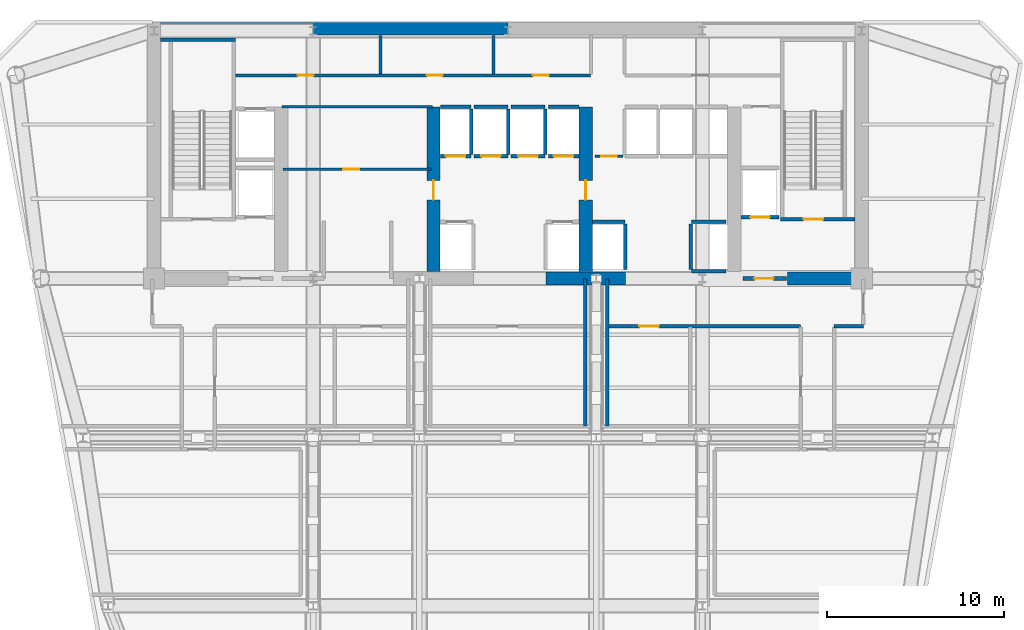
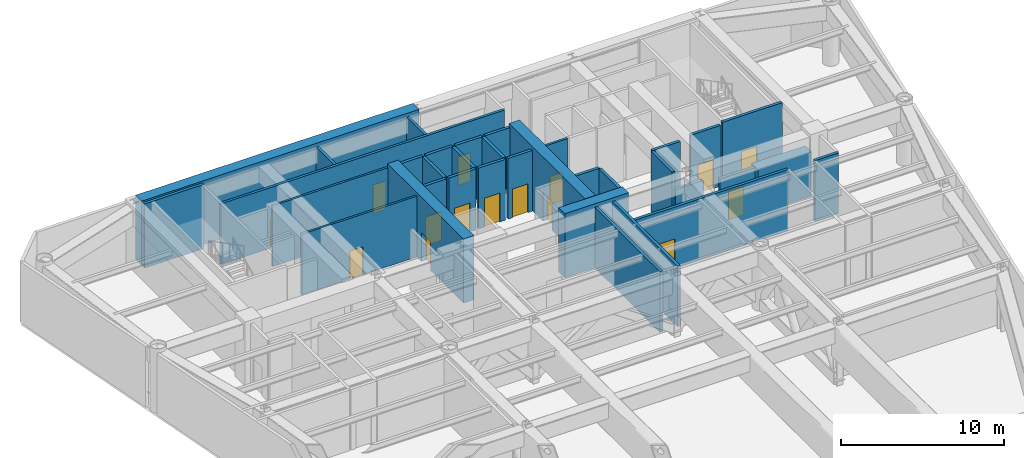
# One storey, part 5 of 10: 35 walls, 15 doors, 15 openings.
"""IFC4 building model written with IfcOpenShell, lengths in metres."""

from ifc_helpers import new_model, si_unit, direction, frame, frame_2d, origin, place, context, subcontext, project, spatial, rectangle, extrude, source, transform, mapped, material, layer, layer_set, type_object, element, fill, save


model = new_model("IFC4")

# Units and contexts
model_context = context("Model", 3, precision=1e-05, world=origin(), true_north=direction((0.0, 1.0)))
body_context = subcontext(model_context, "Body", "Model", "MODEL_VIEW")
ifc_project = project(units=[si_unit("LENGTHUNIT", "METRE"), si_unit("AREAUNIT", "SQUARE_METRE"), si_unit("VOLUMEUNIT", "CUBIC_METRE"), si_unit("PLANEANGLEUNIT", "RADIAN"), si_unit("MASSUNIT", "GRAM", prefix="KILO")], contexts=[model_context])

# Site, building, storey
site_placement = place(None, origin())
site = spatial("IfcSite", under=ifc_project, at=site_placement, CompositionType="ELEMENT")
building_placement = place(site_placement, origin())
building = spatial("IfcBuilding", under=site, at=building_placement, Name="Vaeldorn Concourse Tower", CompositionType="ELEMENT")
storey_placement = place(building_placement, frame((0.0, 0.0, 149.0)))
storey = spatial("IfcBuildingStorey", under=building, at=storey_placement, Name="L38", CompositionType="ELEMENT", Elevation=149.0)

# Walls
ifc_material_1 = material(Name="Concrete C60/75", Category="concrete")
ifc_layer_1 = layer(ifc_material_1, 0.75)
ifc_layer_set_1 = layer_set([ifc_layer_1], Name="Concrete C60/75")
wall_type_1 = type_object("IfcWallType", Name="WL-CORE-750", PredefinedType="SHEAR", material=ifc_layer_set_1)
wall_1_placement = place(storey_placement, frame((14.37890625, 50.625, 0.0), z_axis=(0.0, 0.0, 1.0), x_axis=(1.0, 0.0, 0.0)))
element("IfcWall", 1, at=wall_1_placement, inside=storey, type_object=wall_type_1, Name="Rear Core Shear Wall L38 N1", PredefinedType="SHEAR", context=body_context, shape_type="SweptSolid", body=[
    extrude(rectangle(XDim=19.619140625, YDim=0.75, at=frame_2d((9.8095703125, 0.0))), origin(), (0.0, 0.0, 1.0), 4.800048828125),
])
wall_2_placement = place(storey_placement, frame((36.14990234375, 36.5, 0.0), z_axis=(0.0, 0.0, 1.0), x_axis=(1.0, 0.0, 0.0)))
element("IfcWall", 2, at=wall_2_placement, inside=storey, type_object=wall_type_1, Name="Rear Core Shear Wall L38 S3", PredefinedType="SHEAR", context=body_context, shape_type="SweptSolid", body=[
    extrude(rectangle(XDim=4.5, YDim=0.75, at=frame_2d((2.25, 0.0))), origin(), (0.0, 0.0, 1.0), 4.800048828125),
])
wall_3_placement = place(storey_placement, frame((49.800048828125, 36.5, 0.0), z_axis=(0.0, 0.0, 1.0), x_axis=(1.0, 0.0, 0.0)))
element("IfcWall", 3, at=wall_3_placement, inside=storey, type_object=wall_type_1, Name="Rear Core Shear Wall L38 S4", PredefinedType="SHEAR", context=body_context, shape_type="SweptSolid", body=[
    extrude(rectangle(XDim=3.804931640625, YDim=0.75, at=frame_2d((1.90234375, 0.0))), origin(), (0.0, 0.0, 1.0), 3.340087890625),
])

# Wall, opening, door
wall_4_placement = place(storey_placement, frame((29.800048828125, 36.89501953125, 0.0), z_axis=(0.0, 0.0, 1.0), x_axis=(0.0, 1.0, 0.0)))
wall_4 = element("IfcWall", 4, at=wall_4_placement, inside=storey, type_object=wall_type_1, Name="Rear Core Shear Wall L38 M2", PredefinedType="SHEAR", context=body_context, shape_type="SweptSolid", body=[
    extrude(rectangle(XDim=9.304931640625, YDim=0.75, at=frame_2d((4.65234375, 0.0))), origin(), (0.0, 0.0, 1.0), 4.800048828125),
])
opening_1_placement = place(wall_4_placement, frame((4.050048828125, 0.0, 0.0)))
opening_1 = element("IfcOpeningElement", 5, at=opening_1_placement, cuts=wall_4, Name="Opening D-01", PredefinedType="OPENING", context=body_context, shape_type="SweptSolid", body=[
    extrude(rectangle(XDim=1.10009765625, YDim=2.14990234375, at=frame_2d((0.550048828125, 1.074951171875))), frame((0.0, 0.385009765625, 0.0), z_axis=(0.0, -1.0, 0.0), x_axis=(1.0, 0.0, 0.0)), (0.0, 0.0, 1.0), 0.77001953125),
])
ifc_material_2 = material(Name="Fire-Rated Timber and Steel Leaf", Category="steel")
door_type_1 = type_object("IfcDoorType", Name="DR-FD60-1100", OperationType="NOTDEFINED", PredefinedType="DOOR", material=ifc_material_2)
shared_shape_1 = source(origin(), body_context, "Body", "SweptSolid", [
    extrude(rectangle(XDim=1.10009765625, YDim=2.14990234375, at=frame_2d((0.550048828125, 1.074951171875))), frame((0.0, 0.02490234375, 0.0), z_axis=(0.0, -1.0, 0.0), x_axis=(1.0, 0.0, 0.0)), (0.0, 0.0, 1.0), 0.050048828125),
])
door_1_placement = place(opening_1_placement, origin())
door_1 = element("IfcDoor", 6, at=door_1_placement, inside=storey, type_object=door_type_1, Name="Interior Door DR-L38-CBM2", OperationType="SINGLE_SWING_LEFT", OverallHeight=2.14990234375, OverallWidth=1.10009765625, PredefinedType="DOOR", context=body_context, shape_type="MappedRepresentation", body=[
    mapped(shared_shape_1, transform((0.0, 0.0, 0.0), scale=1.0)),
])
fill(opening_1, door_1)

wall_5_placement = place(storey_placement, frame((38.39990234375, 36.89501953125, 0.0), z_axis=(0.0, 0.0, 1.0), x_axis=(0.0, 1.0, 0.0)))
wall_5 = element("IfcWall", 7, at=wall_5_placement, inside=storey, type_object=wall_type_1, Name="Rear Core Shear Wall L38 M3", PredefinedType="SHEAR", context=body_context, shape_type="SweptSolid", body=[
    extrude(rectangle(XDim=9.304931640625, YDim=0.75, at=frame_2d((4.65234375, 0.0))), origin(), (0.0, 0.0, 1.0), 4.800048828125),
])
opening_2_placement = place(wall_5_placement, frame((4.050048828125, 0.0, 0.0)))
opening_2 = element("IfcOpeningElement", 8, at=opening_2_placement, cuts=wall_5, Name="Opening D-01", PredefinedType="OPENING", context=body_context, shape_type="SweptSolid", body=[
    extrude(rectangle(XDim=1.10009765625, YDim=2.14990234375, at=frame_2d((0.550048828125, 1.074951171875))), frame((0.0, 0.385009765625, 0.0), z_axis=(0.0, -1.0, 0.0), x_axis=(1.0, 0.0, 0.0)), (0.0, 0.0, 1.0), 0.77001953125),
])
door_2_placement = place(opening_2_placement, origin())
door_2 = element("IfcDoor", 9, at=door_2_placement, inside=storey, type_object=door_type_1, Name="Interior Door DR-L38-CBM3", OperationType="SINGLE_SWING_RIGHT", OverallHeight=2.14990234375, OverallWidth=1.10009765625, PredefinedType="DOOR", context=body_context, shape_type="MappedRepresentation", body=[
    mapped(shared_shape_1, transform((0.0, 0.0, 0.0), scale=1.0)),
])
fill(opening_2, door_2)

# Wall
ifc_material_3 = material(Name="Gypsum Board Partition", Category="gypsum")
ifc_layer_2 = layer(ifc_material_3, 0.14990234375)
ifc_layer_set_2 = layer_set([ifc_layer_2], Name="Gypsum Board Partition")
wall_type_2 = type_object("IfcWallType", Name="WL-PART-150", PredefinedType="PARTITIONING", material=ifc_layer_set_2)
wall_6_placement = place(storey_placement, frame((21.25, 46.199951171875, 0.0), z_axis=(0.0, 0.0, 1.0), x_axis=(1.0, 0.0, 0.0)))
element("IfcWall", 10, at=wall_6_placement, inside=storey, type_object=wall_type_2, Name="Interior Wall CW-L38-R1N", PredefinedType="PARTITIONING", context=body_context, shape_type="SweptSolid", body=[
    extrude(rectangle(XDim=8.5, YDim=0.14990234375, at=frame_2d((4.25, 0.0))), origin(), (0.0, 0.0, 1.0), 4.5400390625),
])

# Wall, opening, door
wall_7_placement = place(storey_placement, frame((21.300048828125, 42.679931640625, 0.0), z_axis=(0.0, 0.0, 1.0), x_axis=(1.0, 0.0, 0.0)))
wall_7 = element("IfcWall", 11, at=wall_7_placement, inside=storey, type_object=wall_type_2, Name="Interior Wall CW-L38-R1M", PredefinedType="PARTITIONING", context=body_context, shape_type="SweptSolid", body=[
    extrude(rectangle(XDim=8.39990234375, YDim=0.14990234375, at=frame_2d((4.199951171875, 0.0))), origin(), (0.0, 0.0, 1.0), 4.5400390625),
])
opening_3_placement = place(wall_7_placement, frame((3.39990234375, 0.0, 0.0)))
opening_3 = element("IfcOpeningElement", 12, at=opening_3_placement, cuts=wall_7, Name="Opening D-02", PredefinedType="OPENING", context=body_context, shape_type="SweptSolid", body=[
    extrude(rectangle(XDim=0.89990234375, YDim=2.10009765625, at=frame_2d((0.449951171875, 1.050048828125))), frame((0.0, 0.0849609375, 0.0), z_axis=(0.0, -1.0, 0.0), x_axis=(1.0, 0.0, 0.0)), (0.0, 0.0, 1.0), 0.169921875),
])
ifc_material_4 = material(Name="Fire-Rated Timber Leaf", Category="wood")
door_type_2 = type_object("IfcDoorType", Name="DR-FD30-900", OperationType="NOTDEFINED", PredefinedType="DOOR", material=ifc_material_4)
shared_shape_2 = source(origin(), body_context, "Body", "SweptSolid", [
    extrude(rectangle(XDim=0.89990234375, YDim=2.10009765625, at=frame_2d((0.449951171875, 1.050048828125))), frame((0.0, 0.02490234375, 0.0), z_axis=(0.0, -1.0, 0.0), x_axis=(1.0, 0.0, 0.0)), (0.0, 0.0, 1.0), 0.050048828125),
])
door_3_placement = place(opening_3_placement, origin())
door_3 = element("IfcDoor", 13, at=door_3_placement, inside=storey, type_object=door_type_2, Name="Interior Door DR-L38-R1M", OperationType="SINGLE_SWING_RIGHT", OverallHeight=2.10009765625, OverallWidth=0.89990234375, PredefinedType="DOOR", context=body_context, shape_type="MappedRepresentation", body=[
    mapped(shared_shape_2, transform((0.0, 0.0, 0.0), scale=1.0)),
])
fill(opening_3, door_3)

wall_8_placement = place(storey_placement, frame((38.919921875, 43.39990234375, 0.0), z_axis=(0.0, 0.0, 1.0), x_axis=(1.0, 0.0, 0.0)))
wall_8 = element("IfcWall", 14, at=wall_8_placement, inside=storey, type_object=wall_type_2, Name="Interior Wall CW-L38-CCLINK", PredefinedType="PARTITIONING", context=body_context, shape_type="SweptSolid", body=[
    extrude(rectangle(XDim=1.60009765625, YDim=0.14990234375, at=frame_2d((0.800048828125, 0.0))), origin(), (0.0, 0.0, 1.0), 4.5400390625),
])
opening_4_placement = place(wall_8_placement, frame((0.35009765625, 0.0, 0.0)))
opening_4 = element("IfcOpeningElement", 15, at=opening_4_placement, cuts=wall_8, Name="Opening D-02", PredefinedType="OPENING", context=body_context, shape_type="SweptSolid", body=[
    extrude(rectangle(XDim=0.89990234375, YDim=2.10009765625, at=frame_2d((0.449951171875, 1.050048828125))), frame((0.0, 0.0849609375, 0.0), z_axis=(0.0, -1.0, 0.0), x_axis=(1.0, 0.0, 0.0)), (0.0, 0.0, 1.0), 0.169921875),
])
door_4_placement = place(opening_4_placement, origin())
door_4 = element("IfcDoor", 16, at=door_4_placement, inside=storey, type_object=door_type_2, Name="Interior Door DR-L38-CCLINK", OperationType="SINGLE_SWING_LEFT", OverallHeight=2.10009765625, OverallWidth=0.89990234375, PredefinedType="DOOR", context=body_context, shape_type="MappedRepresentation", body=[
    mapped(shared_shape_2, transform((0.0, 0.0, 0.0), scale=1.0)),
])
fill(opening_4, door_4)

# Wall, openings, doors
ifc_layer_3 = layer(ifc_material_3, 0.179931640625)
ifc_layer_set_3 = layer_set([ifc_layer_3], Name="Gypsum Board Partition")
wall_type_3 = type_object("IfcWallType", Name="WL-PLUMB-180", PredefinedType="PLUMBINGWALL", material=ifc_layer_set_3)
wall_9_placement = place(storey_placement, frame((18.6201171875, 47.97998046875, 0.0), z_axis=(0.0, 0.0, 1.0), x_axis=(1.0, 0.0, 0.0)))
wall_9 = element("IfcWall", 17, at=wall_9_placement, inside=storey, type_object=wall_type_3, Name="Interior Wall CW-L38-NS1W", PredefinedType="PLUMBINGWALL", context=body_context, shape_type="SweptSolid", body=[
    extrude(rectangle(XDim=20.059814453125, YDim=0.179931640625, at=frame_2d((10.02978515625, 0.0))), origin(), (0.0, 0.0, 1.0), 4.5400390625),
])
opening_5_placement = place(wall_9_placement, frame((3.5, 0.0, 0.0)))
opening_5 = element("IfcOpeningElement", 18, at=opening_5_placement, cuts=wall_9, Name="Opening D-03", PredefinedType="OPENING", context=body_context, shape_type="SweptSolid", body=[
    extrude(rectangle(XDim=0.89990234375, YDim=2.14990234375, at=frame_2d((0.449951171875, 1.074951171875))), frame((0.0, 0.10009765625, 0.0), z_axis=(0.0, -1.0, 0.0), x_axis=(1.0, 0.0, 0.0)), (0.0, 0.0, 1.0), 0.199951171875),
])
opening_6_placement = place(wall_9_placement, frame((10.800048828125, 0.0, 0.0)))
opening_6 = element("IfcOpeningElement", 19, at=opening_6_placement, cuts=wall_9, Name="Opening D-03", PredefinedType="OPENING", context=body_context, shape_type="SweptSolid", body=[
    extrude(rectangle(XDim=0.89990234375, YDim=2.14990234375, at=frame_2d((0.449951171875, 1.074951171875))), frame((0.0, 0.10009765625, 0.0), z_axis=(0.0, -1.0, 0.0), x_axis=(1.0, 0.0, 0.0)), (0.0, 0.0, 1.0), 0.199951171875),
])
opening_7_placement = place(wall_9_placement, frame((16.800048828125, 0.0, 0.0)))
opening_7 = element("IfcOpeningElement", 20, at=opening_7_placement, cuts=wall_9, Name="Opening D-03", PredefinedType="OPENING", context=body_context, shape_type="SweptSolid", body=[
    extrude(rectangle(XDim=0.89990234375, YDim=2.14990234375, at=frame_2d((0.449951171875, 1.074951171875))), frame((0.0, 0.10009765625, 0.0), z_axis=(0.0, -1.0, 0.0), x_axis=(1.0, 0.0, 0.0)), (0.0, 0.0, 1.0), 0.199951171875),
])
ifc_material_5 = material(Name="Acoustic Bronze-Framed Glass Door", Category="glass")
door_type_3 = type_object("IfcDoorType", Name="DR-INT-900", OperationType="NOTDEFINED", PredefinedType="DOOR", material=ifc_material_5)
shared_shape_3 = source(origin(), body_context, "Body", "SweptSolid", [
    extrude(rectangle(XDim=0.89990234375, YDim=2.14990234375, at=frame_2d((0.449951171875, 1.074951171875))), frame((0.0, 0.02490234375, 0.0), z_axis=(0.0, -1.0, 0.0), x_axis=(1.0, 0.0, 0.0)), (0.0, 0.0, 1.0), 0.050048828125),
])
door_5_placement = place(opening_5_placement, origin())
door_5 = element("IfcDoor", 21, at=door_5_placement, inside=storey, type_object=door_type_3, Name="Interior Door DR-L38-CS1", OperationType="SINGLE_SWING_LEFT", OverallHeight=2.14990234375, OverallWidth=0.89990234375, PredefinedType="DOOR", context=body_context, shape_type="MappedRepresentation", body=[
    mapped(shared_shape_3, transform((0.0, 0.0, 0.0), scale=1.0)),
])
fill(opening_5, door_5)
door_6_placement = place(opening_6_placement, origin())
door_6 = element("IfcDoor", 22, at=door_6_placement, inside=storey, type_object=door_type_3, Name="Interior Door DR-L38-CS2", OperationType="SINGLE_SWING_RIGHT", OverallHeight=2.14990234375, OverallWidth=0.89990234375, PredefinedType="DOOR", context=body_context, shape_type="MappedRepresentation", body=[
    mapped(shared_shape_3, transform((0.0, 0.0, 0.0), scale=1.0)),
])
fill(opening_6, door_6)
door_7_placement = place(opening_7_placement, origin())
door_7 = element("IfcDoor", 23, at=door_7_placement, inside=storey, type_object=door_type_3, Name="Interior Door DR-L38-CS3", OperationType="SINGLE_SWING_LEFT", OverallHeight=2.14990234375, OverallWidth=0.89990234375, PredefinedType="DOOR", context=body_context, shape_type="MappedRepresentation", body=[
    mapped(shared_shape_3, transform((0.0, 0.0, 0.0), scale=1.0)),
])
fill(opening_7, door_7)

# Walls
for number, where, z_axis, x_axis, name in (
    (24, (26.800048828125, 48.06005859375, 0.0), (0.0, 0.0, 1.0), (0.0, 1.0, 0.0), "Interior Wall CW-L38-NDIV1"),
    (25, (33.199951171875, 48.06005859375, 0.0), (0.0, 0.0, 1.0), (0.0, 1.0, 0.0), "Interior Wall CW-L38-NDIV2"),
):
    element("IfcWall", number, at=place(storey_placement, frame(where, z_axis=z_axis, x_axis=x_axis)), inside=storey, type_object=wall_type_3, Name=name, PredefinedType="PLUMBINGWALL", context=body_context, shape_type="SweptSolid", body=[
        extrude(rectangle(XDim=2.169921875, YDim=0.179931640625, at=frame_2d((1.0849609375, 0.0))), origin(), (0.0, 0.0, 1.0), 4.5400390625),
    ])
ifc_material_6 = material(Name="Concrete C50/60", Category="concrete")
ifc_layer_4 = layer(ifc_material_6, 0.199951171875)
ifc_layer_set_4 = layer_set([ifc_layer_4], Name="Concrete C50/60")
wall_type_4 = type_object("IfcWallType", Name="WL-SHAFT-200", PredefinedType="SOLIDWALL", material=ifc_layer_set_4)
wall_10_placement = place(storey_placement, frame((14.375, 50.0, 0.0), z_axis=(0.0, 0.0, 1.0), x_axis=(1.0, 0.0, 0.0)))
element("IfcWall", 26, at=wall_10_placement, inside=storey, type_object=wall_type_4, Name="Stair Shaft Wall CW-L38-ST-1-N", PredefinedType="SOLIDWALL", context=body_context, shape_type="SweptSolid", body=[
    extrude(rectangle(XDim=4.22509765625, YDim=0.199951171875, at=frame_2d((2.112548828125, 0.0))), origin(), (0.0, 0.0, 1.0), 4.800048828125),
])

# Wall, opening, door
wall_11_placement = place(storey_placement, frame((49.39990234375, 39.85009765625, 0.0), z_axis=(0.0, 0.0, 1.0), x_axis=(1.0, 0.0, 0.0)))
wall_11 = element("IfcWall", 27, at=wall_11_placement, inside=storey, type_object=wall_type_4, Name="Stair Shaft Wall CW-L38-ST-2-S", PredefinedType="SOLIDWALL", context=body_context, shape_type="SweptSolid", body=[
    extrude(rectangle(XDim=4.22509765625, YDim=0.199951171875, at=frame_2d((2.112548828125, 0.0))), origin(), (0.0, 0.0, 1.0), 4.800048828125),
])
opening_8_placement = place(wall_11_placement, frame((1.324951171875, 0.0, 0.0)))
opening_8 = element("IfcOpeningElement", 28, at=opening_8_placement, cuts=wall_11, Name="Opening D-01", PredefinedType="OPENING", context=body_context, shape_type="SweptSolid", body=[
    extrude(rectangle(XDim=1.10009765625, YDim=2.14990234375, at=frame_2d((0.550048828125, 1.074951171875))), frame((0.0, 0.10986328125, 0.0), z_axis=(0.0, -1.0, 0.0), x_axis=(1.0, 0.0, 0.0)), (0.0, 0.0, 1.0), 0.219970703125),
])
door_8_placement = place(opening_8_placement, origin())
door_8 = element("IfcDoor", 29, at=door_8_placement, inside=storey, type_object=door_type_1, Name="Interior Door DR-L38-ST-2", OperationType="SINGLE_SWING_RIGHT", OverallHeight=2.14990234375, OverallWidth=1.10009765625, PredefinedType="DOOR", context=body_context, shape_type="MappedRepresentation", body=[
    mapped(shared_shape_1, transform((0.0, 0.0, 0.0), scale=1.0)),
])
fill(opening_8, door_8)

wall_12_placement = place(storey_placement, frame((47.280029296875, 36.5, 0.0), z_axis=(0.0, 0.0, 1.0), x_axis=(1.0, 0.0, 0.0)))
wall_12 = element("IfcWall", 30, at=wall_12_placement, inside=storey, type_object=wall_type_4, Name="Interior Wall CW-L38-FF2S", PredefinedType="SOLIDWALL", context=body_context, shape_type="SweptSolid", body=[
    extrude(rectangle(XDim=2.469970703125, YDim=0.199951171875, at=frame_2d((1.23486328125, 0.0))), origin(), (0.0, 0.0, 1.0), 3.330078125),
])
opening_9_placement = place(wall_12_placement, frame((0.64990234375, 0.0, 0.0)))
opening_9 = element("IfcOpeningElement", 31, at=opening_9_placement, cuts=wall_12, Name="Opening D-01", PredefinedType="OPENING", context=body_context, shape_type="SweptSolid", body=[
    extrude(rectangle(XDim=1.10009765625, YDim=2.14990234375, at=frame_2d((0.550048828125, 1.074951171875))), frame((0.0, 0.10986328125, 0.0), z_axis=(0.0, -1.0, 0.0), x_axis=(1.0, 0.0, 0.0)), (0.0, 0.0, 1.0), 0.219970703125),
])
door_9_placement = place(opening_9_placement, origin())
door_9 = element("IfcDoor", 32, at=door_9_placement, inside=storey, type_object=door_type_1, Name="Interior Door DR-L38-FF2W", OperationType="SINGLE_SWING_LEFT", OverallHeight=2.14990234375, OverallWidth=1.10009765625, PredefinedType="DOOR", context=body_context, shape_type="MappedRepresentation", body=[
    mapped(shared_shape_1, transform((0.0, 0.0, 0.0), scale=1.0)),
])
fill(opening_9, door_9)

wall_13_placement = place(storey_placement, frame((30.18505859375, 43.39990234375, 0.0), z_axis=(0.0, 0.0, 1.0), x_axis=(1.0, 0.0, 0.0)))
wall_13 = element("IfcWall", 33, at=wall_13_placement, inside=storey, type_object=wall_type_4, Name="Interior Wall CW-L38-LF-LF-09", PredefinedType="SOLIDWALL", context=body_context, shape_type="SweptSolid", body=[
    extrude(rectangle(XDim=1.724853515625, YDim=0.199951171875, at=frame_2d((0.8623046875, 0.0))), origin(), (0.0, 0.0, 1.0), 4.5400390625),
])
opening_10_placement = place(wall_13_placement, frame((0.31298828125, 0.0, 0.0)))
opening_10 = element("IfcOpeningElement", 34, at=opening_10_placement, cuts=wall_13, Name="Opening LD-1", PredefinedType="OPENING", context=body_context, shape_type="SweptSolid", body=[
    extrude(rectangle(XDim=1.10009765625, YDim=2.14990234375, at=frame_2d((0.550048828125, 1.074951171875))), frame((0.0, 0.10986328125, 0.0), z_axis=(0.0, -1.0, 0.0), x_axis=(1.0, 0.0, 0.0)), (0.0, 0.0, 1.0), 0.219970703125),
])
ifc_material_7 = material(Name="Anodised Bronze Aluminium", Category="aluminium")
door_type_4 = type_object("IfcDoorType", Name="DR-LIFT-SLIDE-1100", OperationType="DOUBLE_DOOR_SLIDING", PredefinedType="DOOR", material=ifc_material_7)
door_10_placement = place(opening_10_placement, origin())
door_10 = element("IfcDoor", 35, at=door_10_placement, inside=storey, type_object=door_type_4, Name="Lift Landing Door LD-L38-LF-09", OperationType="DOUBLE_DOOR_SLIDING", OverallHeight=2.14990234375, OverallWidth=1.10009765625, PredefinedType="DOOR", context=body_context, shape_type="MappedRepresentation", body=[
    mapped(shared_shape_1, transform((0.0, 0.0, 0.0), scale=1.0)),
])
fill(opening_10, door_10)

# Walls
wall_14_placement = place(storey_placement, frame((30.18505859375, 46.199951171875, 0.0), z_axis=(0.0, 0.0, 1.0), x_axis=(1.0, 0.0, 0.0)))
element("IfcWall", 36, at=wall_14_placement, inside=storey, type_object=wall_type_4, Name="Interior Wall CW-L38-LFB-LF-09", PredefinedType="SOLIDWALL", context=body_context, shape_type="SweptSolid", body=[
    extrude(rectangle(XDim=1.724853515625, YDim=0.199951171875, at=frame_2d((0.8623046875, 0.0))), origin(), (0.0, 0.0, 1.0), 4.5400390625),
])
wall_15_placement = place(storey_placement, frame((31.929931640625, 43.52001953125, 0.0), z_axis=(0.0, 0.0, 1.0), x_axis=(0.0, 1.0, 0.0)))
element("IfcWall", 37, at=wall_15_placement, inside=storey, type_object=wall_type_4, Name="Interior Wall CW-L38-LFE-LF-09", PredefinedType="SOLIDWALL", context=body_context, shape_type="SweptSolid", body=[
    extrude(rectangle(XDim=2.56005859375, YDim=0.199951171875, at=frame_2d((1.280029296875, 0.0))), origin(), (0.0, 0.0, 1.0), 4.5400390625),
])

# Wall, opening, door
wall_16_placement = place(storey_placement, frame((32.090087890625, 43.39990234375, 0.0), z_axis=(0.0, 0.0, 1.0), x_axis=(1.0, 0.0, 0.0)))
wall_16 = element("IfcWall", 38, at=wall_16_placement, inside=storey, type_object=wall_type_4, Name="Interior Wall CW-L38-LF-LF-10", PredefinedType="SOLIDWALL", context=body_context, shape_type="SweptSolid", body=[
    extrude(rectangle(XDim=1.919921875, YDim=0.199951171875, at=frame_2d((0.9599609375, 0.0))), origin(), (0.0, 0.0, 1.0), 4.5400390625),
])
opening_11_placement = place(wall_16_placement, frame((0.409912109375, 0.0, 0.0)))
opening_11 = element("IfcOpeningElement", 39, at=opening_11_placement, cuts=wall_16, Name="Opening LD-1", PredefinedType="OPENING", context=body_context, shape_type="SweptSolid", body=[
    extrude(rectangle(XDim=1.10009765625, YDim=2.14990234375, at=frame_2d((0.550048828125, 1.074951171875))), frame((0.0, 0.10986328125, 0.0), z_axis=(0.0, -1.0, 0.0), x_axis=(1.0, 0.0, 0.0)), (0.0, 0.0, 1.0), 0.219970703125),
])
door_11_placement = place(opening_11_placement, origin())
door_11 = element("IfcDoor", 40, at=door_11_placement, inside=storey, type_object=door_type_4, Name="Lift Landing Door LD-L38-LF-10", OperationType="DOUBLE_DOOR_SLIDING", OverallHeight=2.14990234375, OverallWidth=1.10009765625, PredefinedType="DOOR", context=body_context, shape_type="MappedRepresentation", body=[
    mapped(shared_shape_1, transform((0.0, 0.0, 0.0), scale=1.0)),
])
fill(opening_11, door_11)

# Walls
wall_17_placement = place(storey_placement, frame((32.090087890625, 46.199951171875, 0.0), z_axis=(0.0, 0.0, 1.0), x_axis=(1.0, 0.0, 0.0)))
element("IfcWall", 41, at=wall_17_placement, inside=storey, type_object=wall_type_4, Name="Interior Wall CW-L38-LFB-LF-10", PredefinedType="SOLIDWALL", context=body_context, shape_type="SweptSolid", body=[
    extrude(rectangle(XDim=1.919921875, YDim=0.199951171875, at=frame_2d((0.9599609375, 0.0))), origin(), (0.0, 0.0, 1.0), 4.5400390625),
])
wall_18_placement = place(storey_placement, frame((34.030029296875, 43.52001953125, 0.0), z_axis=(0.0, 0.0, 1.0), x_axis=(0.0, 1.0, 0.0)))
element("IfcWall", 42, at=wall_18_placement, inside=storey, type_object=wall_type_4, Name="Interior Wall CW-L38-LFE-LF-10", PredefinedType="SOLIDWALL", context=body_context, shape_type="SweptSolid", body=[
    extrude(rectangle(XDim=2.56005859375, YDim=0.199951171875, at=frame_2d((1.280029296875, 0.0))), origin(), (0.0, 0.0, 1.0), 4.5400390625),
])

# Wall, opening, door
wall_19_placement = place(storey_placement, frame((34.18994140625, 43.39990234375, 0.0), z_axis=(0.0, 0.0, 1.0), x_axis=(1.0, 0.0, 0.0)))
wall_19 = element("IfcWall", 43, at=wall_19_placement, inside=storey, type_object=wall_type_4, Name="Interior Wall CW-L38-LF-LF-11", PredefinedType="SOLIDWALL", context=body_context, shape_type="SweptSolid", body=[
    extrude(rectangle(XDim=1.920166015625, YDim=0.199951171875, at=frame_2d((0.9599609375, 0.0))), origin(), (0.0, 0.0, 1.0), 4.5400390625),
])
opening_12_placement = place(wall_19_placement, frame((0.409912109375, 0.0, 0.0)))
opening_12 = element("IfcOpeningElement", 44, at=opening_12_placement, cuts=wall_19, Name="Opening LD-1", PredefinedType="OPENING", context=body_context, shape_type="SweptSolid", body=[
    extrude(rectangle(XDim=1.10009765625, YDim=2.14990234375, at=frame_2d((0.550048828125, 1.074951171875))), frame((0.0, 0.10986328125, 0.0), z_axis=(0.0, -1.0, 0.0), x_axis=(1.0, 0.0, 0.0)), (0.0, 0.0, 1.0), 0.219970703125),
])
door_12_placement = place(opening_12_placement, origin())
door_12 = element("IfcDoor", 45, at=door_12_placement, inside=storey, type_object=door_type_4, Name="Lift Landing Door LD-L38-LF-11", OperationType="DOUBLE_DOOR_SLIDING", OverallHeight=2.14990234375, OverallWidth=1.10009765625, PredefinedType="DOOR", context=body_context, shape_type="MappedRepresentation", body=[
    mapped(shared_shape_1, transform((0.0, 0.0, 0.0), scale=1.0)),
])
fill(opening_12, door_12)

# Walls
wall_20_placement = place(storey_placement, frame((34.18994140625, 46.199951171875, 0.0), z_axis=(0.0, 0.0, 1.0), x_axis=(1.0, 0.0, 0.0)))
element("IfcWall", 46, at=wall_20_placement, inside=storey, type_object=wall_type_4, Name="Interior Wall CW-L38-LFB-LF-11", PredefinedType="SOLIDWALL", context=body_context, shape_type="SweptSolid", body=[
    extrude(rectangle(XDim=1.920166015625, YDim=0.199951171875, at=frame_2d((0.9599609375, 0.0))), origin(), (0.0, 0.0, 1.0), 4.5400390625),
])
wall_21_placement = place(storey_placement, frame((36.1298828125, 43.52001953125, 0.0), z_axis=(0.0, 0.0, 1.0), x_axis=(0.0, 1.0, 0.0)))
element("IfcWall", 47, at=wall_21_placement, inside=storey, type_object=wall_type_4, Name="Interior Wall CW-L38-LFE-LF-11", PredefinedType="SOLIDWALL", context=body_context, shape_type="SweptSolid", body=[
    extrude(rectangle(XDim=2.56005859375, YDim=0.199951171875, at=frame_2d((1.280029296875, 0.0))), origin(), (0.0, 0.0, 1.0), 4.5400390625),
])

# Wall, opening, door
wall_22_placement = place(storey_placement, frame((36.2900390625, 43.39990234375, 0.0), z_axis=(0.0, 0.0, 1.0), x_axis=(1.0, 0.0, 0.0)))
wall_22 = element("IfcWall", 48, at=wall_22_placement, inside=storey, type_object=wall_type_4, Name="Interior Wall CW-L38-LF-LF-12", PredefinedType="SOLIDWALL", context=body_context, shape_type="SweptSolid", body=[
    extrude(rectangle(XDim=1.724853515625, YDim=0.199951171875, at=frame_2d((0.8623046875, 0.0))), origin(), (0.0, 0.0, 1.0), 4.5400390625),
])
opening_13_placement = place(wall_22_placement, frame((0.31298828125, 0.0, 0.0)))
opening_13 = element("IfcOpeningElement", 49, at=opening_13_placement, cuts=wall_22, Name="Opening LD-1", PredefinedType="OPENING", context=body_context, shape_type="SweptSolid", body=[
    extrude(rectangle(XDim=1.10009765625, YDim=2.14990234375, at=frame_2d((0.550048828125, 1.074951171875))), frame((0.0, 0.10986328125, 0.0), z_axis=(0.0, -1.0, 0.0), x_axis=(1.0, 0.0, 0.0)), (0.0, 0.0, 1.0), 0.219970703125),
])
door_13_placement = place(opening_13_placement, origin())
door_13 = element("IfcDoor", 50, at=door_13_placement, inside=storey, type_object=door_type_4, Name="Lift Landing Door LD-L38-LF-12", OperationType="DOUBLE_DOOR_SLIDING", OverallHeight=2.14990234375, OverallWidth=1.10009765625, PredefinedType="DOOR", context=body_context, shape_type="MappedRepresentation", body=[
    mapped(shared_shape_1, transform((0.0, 0.0, 0.0), scale=1.0)),
])
fill(opening_13, door_13)

# Walls
wall_23_placement = place(storey_placement, frame((36.2900390625, 46.199951171875, 0.0), z_axis=(0.0, 0.0, 1.0), x_axis=(1.0, 0.0, 0.0)))
element("IfcWall", 51, at=wall_23_placement, inside=storey, type_object=wall_type_4, Name="Interior Wall CW-L38-LFB-LF-12", PredefinedType="SOLIDWALL", context=body_context, shape_type="SweptSolid", body=[
    extrude(rectangle(XDim=1.724853515625, YDim=0.199951171875, at=frame_2d((0.8623046875, 0.0))), origin(), (0.0, 0.0, 1.0), 4.5400390625),
])
wall_24_placement = place(storey_placement, frame((38.784912109375, 39.699951171875, 0.0), z_axis=(0.0, 0.0, 1.0), x_axis=(1.0, 0.0, 0.0)))
element("IfcWall", 52, at=wall_24_placement, inside=storey, type_object=wall_type_4, Name="Interior Wall CW-L38-LF-LF-13", PredefinedType="SOLIDWALL", context=body_context, shape_type="SweptSolid", body=[
    extrude(rectangle(XDim=1.844970703125, YDim=0.199951171875, at=frame_2d((0.92236328125, 0.0))), origin(), (0.0, 0.0, 1.0), 4.5400390625),
])
wall_25_placement = place(storey_placement, frame((40.64990234375, 37.02001953125, 0.0), z_axis=(0.0, 0.0, 1.0), x_axis=(0.0, 1.0, 0.0)))
element("IfcWall", 53, at=wall_25_placement, inside=storey, type_object=wall_type_4, Name="Interior Wall CW-L38-LFE-LF-13", PredefinedType="SOLIDWALL", context=body_context, shape_type="SweptSolid", body=[
    extrude(rectangle(XDim=2.56005859375, YDim=0.199951171875, at=frame_2d((1.280029296875, 0.0))), origin(), (0.0, 0.0, 1.0), 4.5400390625),
])
wall_26_placement = place(storey_placement, frame((44.3701171875, 39.699951171875, 0.0), z_axis=(0.0, 0.0, 1.0), x_axis=(1.0, 0.0, 0.0)))
element("IfcWall", 54, at=wall_26_placement, inside=storey, type_object=wall_type_4, Name="Interior Wall CW-L38-LF-LF-14", PredefinedType="SOLIDWALL", context=body_context, shape_type="SweptSolid", body=[
    extrude(rectangle(XDim=1.9599609375, YDim=0.199951171875, at=frame_2d((0.97998046875, 0.0))), origin(), (0.0, 0.0, 1.0), 4.5400390625),
])
wall_27_placement = place(storey_placement, frame((44.3701171875, 36.89990234375, 0.0), z_axis=(0.0, 0.0, 1.0), x_axis=(1.0, 0.0, 0.0)))
element("IfcWall", 55, at=wall_27_placement, inside=storey, type_object=wall_type_4, Name="Interior Wall CW-L38-LFB-LF-14", PredefinedType="SOLIDWALL", context=body_context, shape_type="SweptSolid", body=[
    extrude(rectangle(XDim=1.9599609375, YDim=0.199951171875, at=frame_2d((0.97998046875, 0.0))), origin(), (0.0, 0.0, 1.0), 3.330078125),
])
wall_28_placement = place(storey_placement, frame((44.35009765625, 37.02001953125, 0.0), z_axis=(0.0, 0.0, 1.0), x_axis=(0.0, 1.0, 0.0)))
element("IfcWall", 56, at=wall_28_placement, inside=storey, type_object=wall_type_4, Name="Interior Wall CW-L38-LFW-LF-14", PredefinedType="SOLIDWALL", context=body_context, shape_type="SweptSolid", body=[
    extrude(rectangle(XDim=2.56005859375, YDim=0.199951171875, at=frame_2d((1.280029296875, 0.0))), origin(), (0.0, 0.0, 1.0), 4.5400390625),
])

# Wall, opening, door
wall_29_placement = place(storey_placement, frame((47.18505859375, 39.949951171875, 0.0), z_axis=(0.0, 0.0, 1.0), x_axis=(1.0, 0.0, 0.0)))
wall_29 = element("IfcWall", 57, at=wall_29_placement, inside=storey, type_object=wall_type_4, Name="Interior Wall CW-L38-LF-LF-FF2", PredefinedType="SOLIDWALL", context=body_context, shape_type="SweptSolid", body=[
    extrude(rectangle(XDim=2.14501953125, YDim=0.199951171875, at=frame_2d((1.072509765625, 0.0))), origin(), (0.0, 0.0, 1.0), 4.5400390625),
])
opening_14_placement = place(wall_29_placement, frame((0.52197265625, 0.0, 0.0)))
opening_14 = element("IfcOpeningElement", 58, at=opening_14_placement, cuts=wall_29, Name="Opening LD-1", PredefinedType="OPENING", context=body_context, shape_type="SweptSolid", body=[
    extrude(rectangle(XDim=1.10009765625, YDim=2.14990234375, at=frame_2d((0.550048828125, 1.074951171875))), frame((0.0, 0.10986328125, 0.0), z_axis=(0.0, -1.0, 0.0), x_axis=(1.0, 0.0, 0.0)), (0.0, 0.0, 1.0), 0.219970703125),
])
door_14_placement = place(opening_14_placement, origin())
door_14 = element("IfcDoor", 59, at=door_14_placement, inside=storey, type_object=door_type_4, Name="Lift Landing Door LD-L38-LF-FF2", OperationType="DOUBLE_DOOR_SLIDING", OverallHeight=2.14990234375, OverallWidth=1.10009765625, PredefinedType="DOOR", context=body_context, shape_type="MappedRepresentation", body=[
    mapped(shared_shape_1, transform((0.0, 0.0, 0.0), scale=1.0)),
])
fill(opening_14, door_14)

wall_30_placement = place(storey_placement, frame((39.639892578125, 33.800048828125, 0.0), z_axis=(0.0, 0.0, 1.0), x_axis=(1.0, 0.0, 0.0)))
wall_30 = element("IfcWall", 60, at=wall_30_placement, inside=storey, type_object=wall_type_4, Name="Interior Wall PW-L38-PCE1", PredefinedType="SOLIDWALL", context=body_context, shape_type="SweptSolid", body=[
    extrude(rectangle(XDim=10.91015625, YDim=0.199951171875, at=frame_2d((5.455078125, 0.0))), origin(), (0.0, 0.0, 1.0), 4.5400390625),
])
opening_15_placement = place(wall_30_placement, frame((1.800048828125, 0.0, 0.0)))
opening_15 = element("IfcOpeningElement", 61, at=opening_15_placement, cuts=wall_30, Name="Opening D-01", PredefinedType="OPENING", context=body_context, shape_type="SweptSolid", body=[
    extrude(rectangle(XDim=1.10009765625, YDim=2.14990234375, at=frame_2d((0.550048828125, 1.074951171875))), frame((0.0, 0.10986328125, 0.0), z_axis=(0.0, -1.0, 0.0), x_axis=(1.0, 0.0, 0.0)), (0.0, 0.0, 1.0), 0.219970703125),
])
door_15_placement = place(opening_15_placement, origin())
door_15 = element("IfcDoor", 62, at=door_15_placement, inside=storey, type_object=door_type_1, Name="Interior Door DR-L38-PL3", OperationType="SINGLE_SWING_LEFT", OverallHeight=2.14990234375, OverallWidth=1.10009765625, PredefinedType="DOOR", context=body_context, shape_type="MappedRepresentation", body=[
    mapped(shared_shape_1, transform((0.0, 0.0, 0.0), scale=1.0)),
])
fill(opening_15, door_15)

# Walls
wall_31_placement = place(storey_placement, frame((52.449951171875, 33.800048828125, 0.0), z_axis=(0.0, 0.0, 1.0), x_axis=(1.0, 0.0, 0.0)))
element("IfcWall", 63, at=wall_31_placement, inside=storey, type_object=wall_type_4, Name="Interior Wall PW-L38-PCE2", PredefinedType="SOLIDWALL", context=body_context, shape_type="SweptSolid", body=[
    extrude(rectangle(XDim=1.650146484375, YDim=0.199951171875, at=frame_2d((0.8251953125, 0.0))), origin(), (0.0, 0.0, 1.0), 4.5400390625),
])
for number, where, z_axis, x_axis, name in (
    (64, (38.3798828125, 28.159912109375, 0.0), (0.0, 0.0, 1.0), (0.0, 1.0, 0.0), "Interior Wall PW-L38-OT3W"),
    (65, (39.6201171875, 28.159912109375, 0.0), (0.0, 0.0, 1.0), (0.0, 1.0, 0.0), "Interior Wall PW-L38-OT3E"),
):
    element("IfcWall", number, at=place(storey_placement, frame(where, z_axis=z_axis, x_axis=x_axis)), inside=storey, type_object=wall_type_4, Name=name, PredefinedType="SOLIDWALL", context=body_context, shape_type="SweptSolid", body=[
        extrude(rectangle(XDim=8.300048828125, YDim=0.199951171875, at=frame_2d((4.14990234375, 0.0))), origin(), (0.0, 0.0, 1.0), 4.5400390625),
    ])

save(model, "model.ifc")
